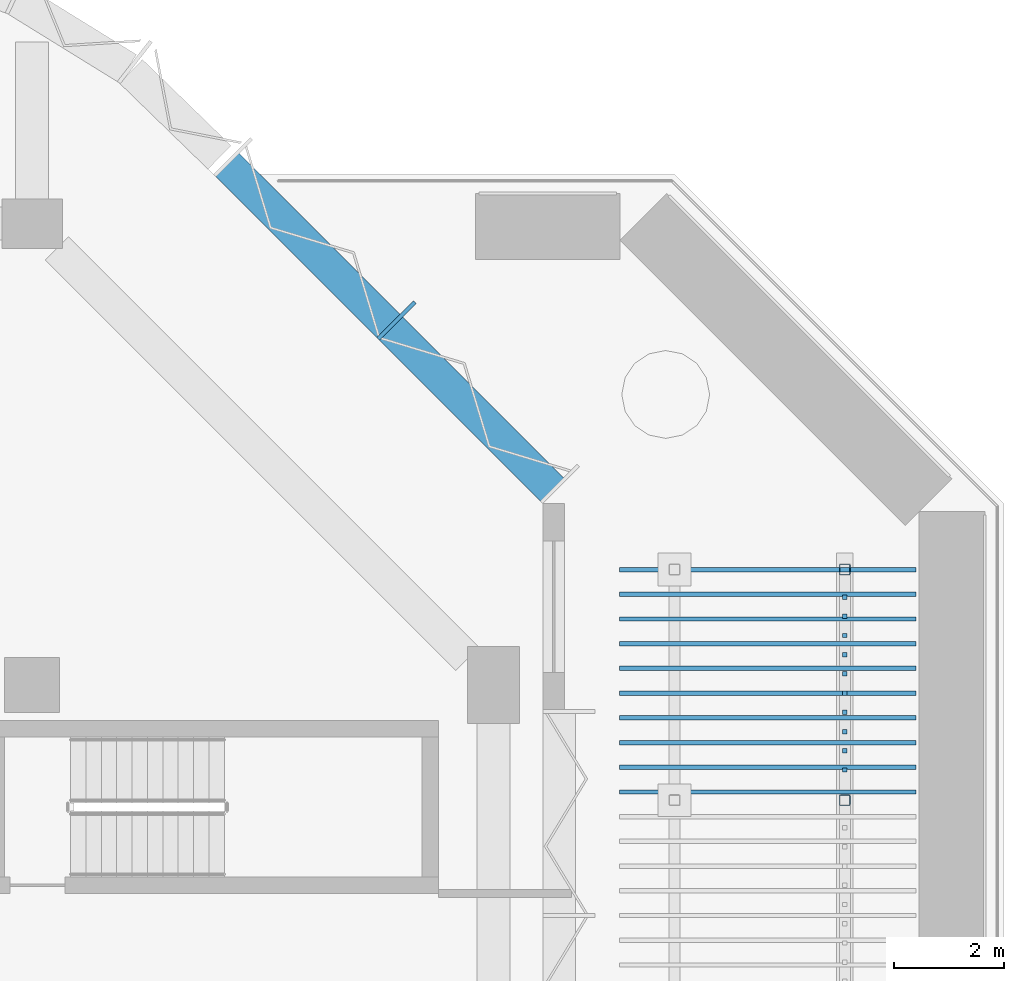
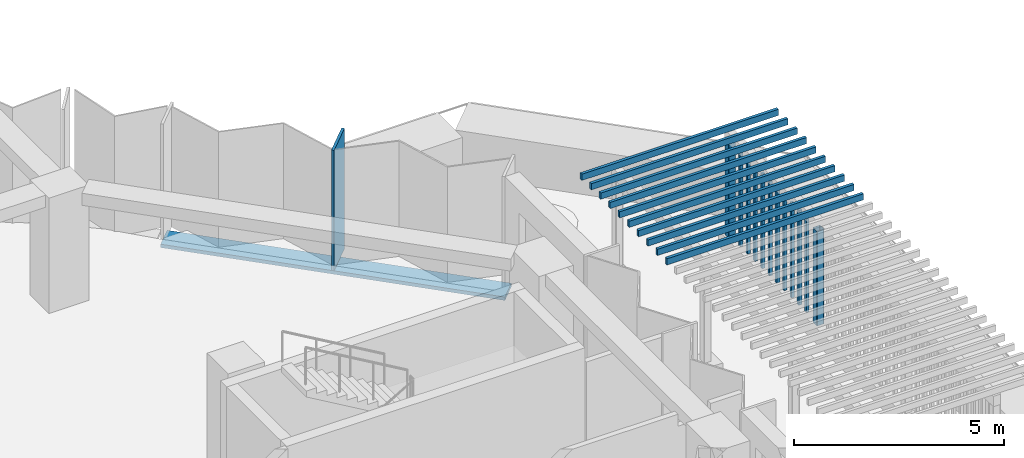
# One storey, part 4 of 14: 24 members, 1 element without a shape of its own.
"""IFC4 building model written with IfcOpenShell, lengths in metres."""

from ifc_helpers import new_model, si_unit, direction, frame, origin, origin_2d, place, context, subcontext, project, spatial, rectangle, hollow_rectangle, extrude, material, material_profile, profile_set, type_object, element, aggregate, save


model = new_model("IFC4")

# Units and contexts
model_context = context("Model", 3, precision=1e-05, world=origin(), true_north=direction((0.0, 1.0)))
body_context = subcontext(model_context, "Body", "Model", "MODEL_VIEW")
ifc_project = project(units=[si_unit("LENGTHUNIT", "METRE"), si_unit("AREAUNIT", "SQUARE_METRE"), si_unit("VOLUMEUNIT", "CUBIC_METRE"), si_unit("PLANEANGLEUNIT", "RADIAN"), si_unit("MASSUNIT", "GRAM", prefix="KILO")], contexts=[model_context])

# Site, building, storey
site_placement = place(None, origin())
site = spatial("IfcSite", under=ifc_project, at=site_placement, CompositionType="ELEMENT")
building_placement = place(site_placement, origin())
building = spatial("IfcBuilding", under=site, at=building_placement, Name="Brevane Broadcast Tower", CompositionType="ELEMENT")
storey_placement = place(building_placement, frame((0.0, 0.0, 184.800048828125)))
storey = spatial("IfcBuildingStorey", under=building, at=storey_placement, Name="L46", CompositionType="ELEMENT", Elevation=184.800048828125)

# Curtain wall, members
ifc_material_1 = material(Name="Aluminium 6063-T6 bronze anodised", Category="aluminium")
curtain_wall_type = type_object("IfcCurtainWallType", Name="CW-1 curtain wall", PredefinedType="NOTDEFINED", material=ifc_material_1)
curtain_wall_placement = place(storey_placement, origin())
curtain_wall = element("IfcCurtainWall", 1, at=curtain_wall_placement, inside=storey, type_object=curtain_wall_type, Name="CW-1 typical tilted unit L46 north-east chamfer", PredefinedType="NOTDEFINED")
ifc_material_profile_1 = material_profile(ifc_material_1, rectangle(XDim=0.949951171875, YDim=0.070068359375, at=origin_2d()), Name="RECT 70x950")
ifc_profile_set_1 = profile_set([ifc_material_profile_1], Name="Aluminium 6063-T6 bronze anodised")
member_type_1 = type_object("IfcMemberType", Name="CW-1 mullion 70x950", PredefinedType="MULLION", material=ifc_profile_set_1)
member_1_placement = place(storey_placement, frame((48.635986328125, 23.435791015625, -0.150146484375), z_axis=(0.0, 0.0, 1.0), x_axis=(-0.707106781187, -0.707106781187, 0.0)))
member_1 = element("IfcMember", 2, at=member_1_placement, type_object=member_type_1, Name="CW-1 mullion", PredefinedType="MULLION", context=body_context, shape_type="SweptSolid", body=[
    extrude(rectangle(XDim=0.949951171875, YDim=0.070068359375, at=origin_2d()), origin(), (0.0, 0.0, 1.0), 3.5),
])
ifc_material_profile_2 = material_profile(ifc_material_1, rectangle(XDim=0.60009765625, YDim=0.10009765625, at=origin_2d()), Name="RECT 100x600")
ifc_profile_set_2 = profile_set([ifc_material_profile_2], Name="Aluminium 6063-T6 bronze anodised")
member_type_2 = type_object("IfcMemberType", Name="CW-1 transom 100x600", PredefinedType="USERDEFINED", material=ifc_profile_set_2)
member_2_placement = place(storey_placement, frame((51.51220703125, 20.31201171875, -0.199951171875), z_axis=(-0.707106781187, 0.707106781187, 0.0), x_axis=(-0.707106781187, -0.707106781187, 0.0)))
member_2 = element("IfcMember", 3, at=member_2_placement, type_object=member_type_2, Name="CW-1 transom", ObjectType="TRANSOM", PredefinedType="USERDEFINED", context=body_context, shape_type="SweptSolid", body=[
    extrude(rectangle(XDim=0.60009765625, YDim=0.10009765625, at=origin_2d()), origin(), (0.0, 0.0, 1.0), 8.4853515625),
])
aggregate(curtain_wall, [member_1, member_2])

# Members
ifc_material_2 = material(Name="Steel S355", Category="steel")
ifc_material_profile_3 = material_profile(ifc_material_2, hollow_rectangle(XDim=0.199951171875, YDim=0.199951171875, WallThickness=0.010009765625, InnerFilletRadius=0.010009765625, OuterFilletRadius=0.02001953125, at=origin_2d()), Name="RHS 200x200x10")
ifc_profile_set_3 = profile_set([ifc_material_profile_3], Name="Steel S355")
member_type_3 = type_object("IfcMemberType", Name="Sky garden pergola post RHS 200x200x10 S355", PredefinedType="POST", material=ifc_profile_set_3)
for number, where, z_axis, x_axis, name in (
    (4, (56.800048828125, 14.699951171875, 0.449951171875), (0.0, 0.0, 1.0), (1.0, 0.0, 0.0), "Sky garden trellis post L46-7"),
    (5, (56.800048828125, 18.89990234375, 0.449951171875), (0.0, 0.0, 1.0), (1.0, 0.0, 0.0), "Sky garden trellis post L46-8"),
):
    element("IfcMember", number, at=place(storey_placement, frame(where, z_axis=z_axis, x_axis=x_axis)), inside=storey, type_object=member_type_3, Name=name, PredefinedType="POST", context=body_context, shape_type="SweptSolid", body=[
        extrude(hollow_rectangle(XDim=0.199951171875, YDim=0.199951171875, WallThickness=0.010009765625, InnerFilletRadius=0.010009765625, OuterFilletRadius=0.02001953125, at=origin_2d()), origin(), (0.0, 0.0, 1.0), 2.75),
    ])
ifc_material_3 = material(Name="Glulam GL28h", Category="wood")
ifc_material_profile_4 = material_profile(ifc_material_3, rectangle(XDim=0.080078125, YDim=0.179931640625, at=origin_2d()), Name="RECT 80x180")
ifc_profile_set_4 = profile_set([ifc_material_profile_4], Name="Glulam GL28h")
member_type_4 = type_object("IfcMemberType", Name="Sky garden trellis rafter glulam 80x180 GL28h", PredefinedType="USERDEFINED", material=ifc_profile_set_4)
for number, where, z_axis, x_axis, name in (
    (6, (52.699951171875, 14.85009765625, 3.58984375), (1.0, 0.0, 0.0), (0.0, 1.0, 0.0), "Sky garden trellis rafter L46-20"),
    (7, (52.699951171875, 15.300048828125, 3.58984375), (1.0, 0.0, 0.0), (0.0, 1.0, 0.0), "Sky garden trellis rafter L46-21"),
    (8, (52.699951171875, 15.75, 3.58984375), (1.0, 0.0, 0.0), (0.0, 1.0, 0.0), "Sky garden trellis rafter L46-22"),
    (9, (52.699951171875, 16.199951171875, 3.58984375), (1.0, 0.0, 0.0), (0.0, 1.0, 0.0), "Sky garden trellis rafter L46-23"),
    (10, (52.699951171875, 16.64990234375, 3.58984375), (1.0, 0.0, 0.0), (0.0, 1.0, 0.0), "Sky garden trellis rafter L46-24"),
    (11, (52.699951171875, 17.10009765625, 3.58984375), (1.0, 0.0, 0.0), (0.0, 1.0, 0.0), "Sky garden trellis rafter L46-25"),
    (12, (52.699951171875, 17.550048828125, 3.58984375), (1.0, 0.0, 0.0), (0.0, 1.0, 0.0), "Sky garden trellis rafter L46-26"),
    (13, (52.699951171875, 18.0, 3.58984375), (1.0, 0.0, 0.0), (0.0, 1.0, 0.0), "Sky garden trellis rafter L46-27"),
    (14, (52.699951171875, 18.449951171875, 3.58984375), (1.0, 0.0, 0.0), (0.0, 1.0, 0.0), "Sky garden trellis rafter L46-28"),
    (15, (52.699951171875, 18.89990234375, 3.58984375), (1.0, 0.0, 0.0), (0.0, 1.0, 0.0), "Sky garden trellis rafter L46-29"),
):
    element("IfcMember", number, at=place(storey_placement, frame(where, z_axis=z_axis, x_axis=x_axis)), inside=storey, type_object=member_type_4, Name=name, ObjectType="TRELLIS RAFTER", PredefinedType="USERDEFINED", context=body_context, shape_type="SweptSolid", body=[
        extrude(rectangle(XDim=0.080078125, YDim=0.179931640625, at=origin_2d()), origin(), (0.0, 0.0, 1.0), 5.400146484375),
    ])
ifc_material_profile_5 = material_profile(ifc_material_3, rectangle(XDim=0.080078125, YDim=0.080078125, at=origin_2d()), Name="RECT 80x80")
ifc_profile_set_5 = profile_set([ifc_material_profile_5], Name="Glulam GL28h")
member_type_5 = type_object("IfcMemberType", Name="Sky garden trellis slat glulam 80x80 GL28h", PredefinedType="USERDEFINED", material=ifc_profile_set_5)
for number, where, z_axis, x_axis, name in (
    (16, (56.800048828125, 15.25, 0.449951171875), (0.0, 0.0, 1.0), (1.0, 0.0, 0.0), "Sky garden trellis slat L46-22"),
    (17, (56.800048828125, 15.60009765625, 0.449951171875), (0.0, 0.0, 1.0), (1.0, 0.0, 0.0), "Sky garden trellis slat L46-23"),
    (18, (56.800048828125, 15.949951171875, 0.449951171875), (0.0, 0.0, 1.0), (1.0, 0.0, 0.0), "Sky garden trellis slat L46-24"),
    (19, (56.800048828125, 16.300048828125, 0.449951171875), (0.0, 0.0, 1.0), (1.0, 0.0, 0.0), "Sky garden trellis slat L46-25"),
    (20, (56.800048828125, 16.64990234375, 0.449951171875), (0.0, 0.0, 1.0), (1.0, 0.0, 0.0), "Sky garden trellis slat L46-26"),
    (21, (56.800048828125, 17.0, 0.449951171875), (0.0, 0.0, 1.0), (1.0, 0.0, 0.0), "Sky garden trellis slat L46-27"),
    (22, (56.800048828125, 17.35009765625, 0.449951171875), (0.0, 0.0, 1.0), (1.0, 0.0, 0.0), "Sky garden trellis slat L46-28"),
    (23, (56.800048828125, 17.699951171875, 0.449951171875), (0.0, 0.0, 1.0), (1.0, 0.0, 0.0), "Sky garden trellis slat L46-29"),
    (24, (56.800048828125, 18.050048828125, 0.449951171875), (0.0, 0.0, 1.0), (1.0, 0.0, 0.0), "Sky garden trellis slat L46-30"),
    (25, (56.800048828125, 18.39990234375, 0.449951171875), (0.0, 0.0, 1.0), (1.0, 0.0, 0.0), "Sky garden trellis slat L46-31"),
):
    element("IfcMember", number, at=place(storey_placement, frame(where, z_axis=z_axis, x_axis=x_axis)), inside=storey, type_object=member_type_5, Name=name, ObjectType="TRELLIS SLAT", PredefinedType="USERDEFINED", context=body_context, shape_type="SweptSolid", body=[
        extrude(rectangle(XDim=0.080078125, YDim=0.080078125, at=origin_2d()), origin(), (0.0, 0.0, 1.0), 2.75),
    ])

save(model, "model.ifc")
